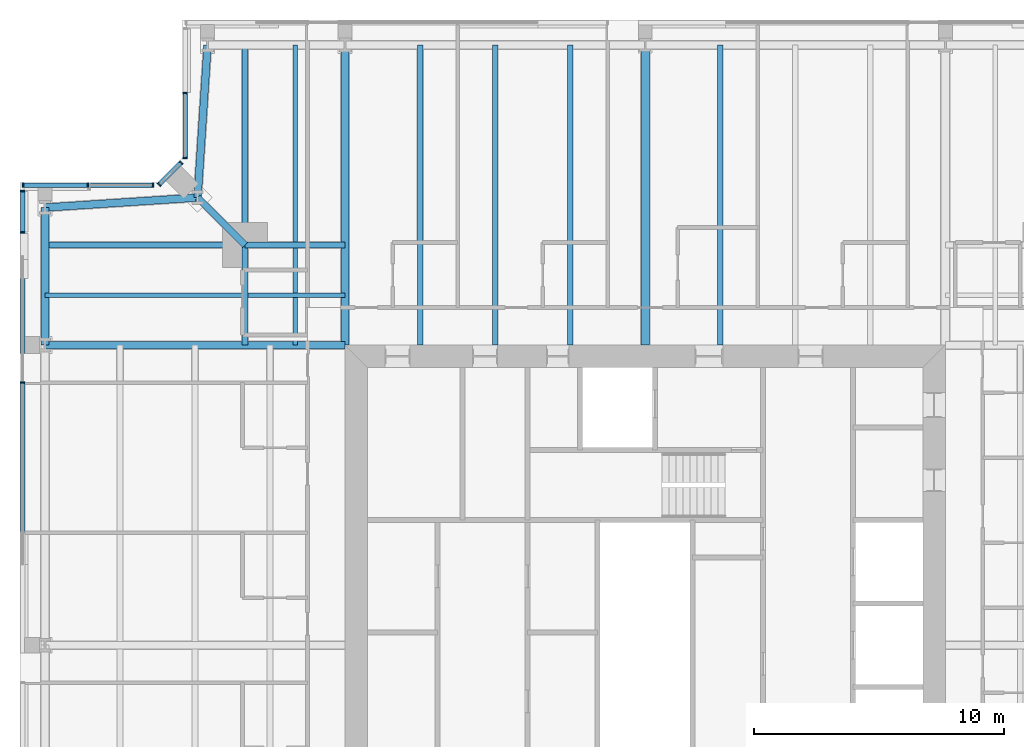
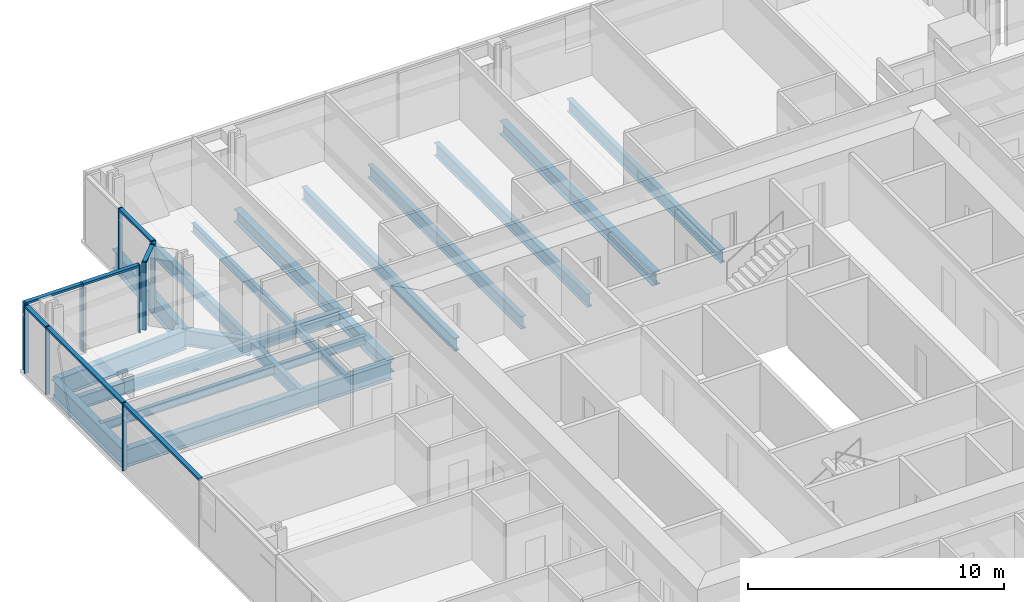
# One storey, part 7 of 20: 20 beams, 17 members, 4 elements without a shape of their own.
"""IFC4 building model written with IfcOpenShell, lengths in metres."""

from ifc_helpers import new_model, si_unit, direction, frame, origin, origin_2d, place, context, subcontext, project, spatial, rectangle, i_section, extrude, material, material_profile, profile_set, type_object, element, aggregate, save


model = new_model("IFC4")

# Units and contexts
model_context = context("Model", 3, precision=1e-05, world=origin(), true_north=direction((0.0, 1.0)))
body_context = subcontext(model_context, "Body", "Model", "MODEL_VIEW")
ifc_project = project(units=[si_unit("LENGTHUNIT", "METRE"), si_unit("AREAUNIT", "SQUARE_METRE"), si_unit("VOLUMEUNIT", "CUBIC_METRE"), si_unit("PLANEANGLEUNIT", "RADIAN"), si_unit("MASSUNIT", "GRAM", prefix="KILO")], contexts=[model_context])

# Site, building, storey
site_placement = place(None, origin())
site = spatial("IfcSite", under=ifc_project, at=site_placement, CompositionType="ELEMENT")
building_placement = place(site_placement, origin())
building = spatial("IfcBuilding", under=site, at=building_placement, Name="Fenwick Lantern Interchange", CompositionType="ELEMENT")
storey_placement = place(building_placement, frame((0.0, 0.0, 252.60009765625)))
storey = spatial("IfcBuildingStorey", under=building, at=storey_placement, Name="L59", CompositionType="ELEMENT", Elevation=252.60009765625)

# Beams
ifc_material_1 = material(Name="Steel ASTM A992 Grade 50", Category="steel")
ifc_material_profile_1 = material_profile(ifc_material_1, i_section(OverallWidth=0.3046875, OverallDepth=0.911865234375, WebThickness=0.015869140625, FlangeThickness=0.02392578125, at=origin_2d()), Name="W36X150")
ifc_profile_set_1 = profile_set([ifc_material_profile_1], Name="Steel ASTM A992 Grade 50")
beam_type_1 = type_object("IfcBeamType", Name="EDGE BEAM W36X150", PredefinedType="SPANDREL", material=ifc_profile_set_1)
for number, where, z_axis, x_axis, name in (
    (1, (7.5, 49.0, -0.60595703125), (-0.065416293237, -0.997858060337, 0.0), (0.997858060337, -0.065416293237, 0.0), "L59/FR/N/EBR1"),
    (2, (7.10009765625, 42.89990234375, -0.60595703125), (-0.997858060337, -0.065416293237, 0.0), (0.065416293237, -0.997858060337, 0.0), "L59/FR/N/EBR2"),
):
    element("IfcBeam", number, at=place(storey_placement, frame(where, z_axis=z_axis, x_axis=x_axis)), inside=storey, type_object=beam_type_1, Name=name, PredefinedType="SPANDREL", context=body_context, shape_type="SweptSolid", body=[
        extrude(i_section(OverallWidth=0.3046875, OverallDepth=0.911865234375, WebThickness=0.015869140625, FlangeThickness=0.02392578125, at=origin_2d()), origin(), (0.0, 0.0, 1.0), 6.11328125),
    ])
beam_1_placement = place(storey_placement, frame((1.0, 42.5, -0.60595703125), z_axis=(0.0, -1.0, 0.0), x_axis=(1.0, 0.0, 0.0)))
element("IfcBeam", 3, at=beam_1_placement, inside=storey, type_object=beam_type_1, Name="L59/FR/W/EB1", PredefinedType="SPANDREL", context=body_context, shape_type="SweptSolid", body=[
    extrude(i_section(OverallWidth=0.3046875, OverallDepth=0.911865234375, WebThickness=0.015869140625, FlangeThickness=0.02392578125, at=origin_2d()), origin(), (0.0, 0.0, 1.0), 5.5),
])
ifc_material_profile_2 = material_profile(ifc_material_1, i_section(OverallWidth=0.22900390625, OverallDepth=0.612060546875, WebThickness=0.011962890625, FlangeThickness=0.01953125, at=origin_2d()), Name="W24X84")
ifc_profile_set_2 = profile_set([ifc_material_profile_2], Name="Steel ASTM A992 Grade 50")
beam_type_2 = type_object("IfcBeamType", Name="FLOOR BEAM W24X84", PredefinedType="BEAM", material=ifc_profile_set_2)
for number, where, z_axis, x_axis, name in (
    (4, (28.0, 49.0, -0.4560546875), (0.0, -1.0, 0.0), (1.0, 0.0, 0.0), "L59/FR/N/R04"),
    (5, (22.0, 49.0, -0.4560546875), (0.0, -1.0, 0.0), (1.0, 0.0, 0.0), "L59/FR/N/R06"),
    (6, (19.0, 49.0, -0.4560546875), (0.0, -1.0, 0.0), (1.0, 0.0, 0.0), "L59/FR/N/R07"),
    (7, (16.0, 49.0, -0.4560546875), (0.0, -1.0, 0.0), (1.0, 0.0, 0.0), "L59/FR/N/R08"),
):
    element("IfcBeam", number, at=place(storey_placement, frame(where, z_axis=z_axis, x_axis=x_axis)), inside=storey, type_object=beam_type_2, Name=name, PredefinedType="BEAM", context=body_context, shape_type="SweptSolid", body=[
        extrude(i_section(OverallWidth=0.22900390625, OverallDepth=0.612060546875, WebThickness=0.011962890625, FlangeThickness=0.01953125, at=origin_2d()), origin(), (0.0, 0.0, 1.0), 12.0),
    ])

# Curtain wall, members
ifc_material_2 = material(Name="Aluminium curtain wall frame", Category="aluminium")
curtain_wall_type = type_object("IfcCurtainWallType", Name="HOTEL CURTAIN WALL", PredefinedType="USERDEFINED", material=ifc_material_2)
curtain_wall_1_placement = place(storey_placement, origin())
curtain_wall_1 = element("IfcCurtainWall", 8, at=curtain_wall_1_placement, inside=storey, type_object=curtain_wall_type, Name="Hotel curtain wall 10", ObjectType="HOTEL CURTAIN WALL", PredefinedType="USERDEFINED")
ifc_material_3 = material(Name="Aluminium extrusion", Category="aluminium")
ifc_material_profile_3 = material_profile(ifc_material_3, rectangle(XDim=0.179931640625, YDim=0.06005859375, at=origin_2d()), Name="HOTEL CURTAIN WALL MULLION 60 X 180")
ifc_profile_set_3 = profile_set([ifc_material_profile_3], Name="Aluminium extrusion")
member_type_1 = type_object("IfcMemberType", Name="HOTEL CURTAIN WALL MULLION 60 X 180", PredefinedType="MULLION", material=ifc_profile_set_3)
member_1_placement = place(storey_placement, frame((6.60009765625, 47.079345703125, 0.0), z_axis=(0.0, 0.0, 1.0), x_axis=(1.0, 0.0, 0.0)))
member_1 = element("IfcMember", 9, at=member_1_placement, type_object=member_type_1, Name="L59/CW/10/M01", PredefinedType="MULLION", context=body_context, shape_type="SweptSolid", body=[
    extrude(rectangle(XDim=0.179931640625, YDim=0.06005859375, at=origin_2d()), origin(), (0.0, 0.0, 1.0), 3.25),
])
member_2_placement = place(storey_placement, frame((6.60009765625, 44.488525390625, 0.0), z_axis=(0.0, 0.0, 1.0), x_axis=(1.0, 0.0, 0.0)))
member_2 = element("IfcMember", 10, at=member_2_placement, type_object=member_type_1, Name="L59/CW/10/M02", PredefinedType="MULLION", context=body_context, shape_type="SweptSolid", body=[
    extrude(rectangle(XDim=0.179931640625, YDim=0.06005859375, at=origin_2d()), origin(), (0.0, 0.0, 1.0), 3.25),
])

curtain_wall_2_placement = place(storey_placement, origin())
curtain_wall_2 = element("IfcCurtainWall", 11, at=curtain_wall_2_placement, inside=storey, type_object=curtain_wall_type, Name="Hotel curtain wall 11", ObjectType="HOTEL CURTAIN WALL", PredefinedType="USERDEFINED")
member_3_placement = place(storey_placement, frame((6.437255859375, 44.2958984375, 0.0), z_axis=(0.0, 0.0, 1.0), x_axis=(0.707106781187, -0.707106781187, 0.0)))
member_3 = element("IfcMember", 12, at=member_3_placement, type_object=member_type_1, Name="L59/CW/11/M00", PredefinedType="MULLION", context=body_context, shape_type="SweptSolid", body=[
    extrude(rectangle(XDim=0.179931640625, YDim=0.06005859375, at=origin_2d()), origin(), (0.0, 0.0, 1.0), 3.25),
])
member_4_placement = place(storey_placement, frame((5.562744140625, 43.421142578125, 0.0), z_axis=(0.0, 0.0, 1.0), x_axis=(0.707106781187, -0.707106781187, 0.0)))
member_4 = element("IfcMember", 13, at=member_4_placement, type_object=member_type_1, Name="L59/CW/11/M01", PredefinedType="MULLION", context=body_context, shape_type="SweptSolid", body=[
    extrude(rectangle(XDim=0.179931640625, YDim=0.06005859375, at=origin_2d()), origin(), (0.0, 0.0, 1.0), 3.25),
])

curtain_wall_3_placement = place(storey_placement, origin())
curtain_wall_3 = element("IfcCurtainWall", 14, at=curtain_wall_3_placement, inside=storey, type_object=curtain_wall_type, Name="Hotel curtain wall 12", ObjectType="HOTEL CURTAIN WALL", PredefinedType="USERDEFINED")
member_5_placement = place(storey_placement, frame((5.3115234375, 43.39990234375, 0.0), z_axis=(0.0, 0.0, 1.0), x_axis=(0.0, -1.0, 0.0)))
member_5 = element("IfcMember", 15, at=member_5_placement, type_object=member_type_1, Name="L59/CW/12/M00", PredefinedType="MULLION", context=body_context, shape_type="SweptSolid", body=[
    extrude(rectangle(XDim=0.179931640625, YDim=0.06005859375, at=origin_2d()), origin(), (0.0, 0.0, 1.0), 3.25),
])
member_6_placement = place(storey_placement, frame((2.720703125, 43.39990234375, 0.0), z_axis=(0.0, 0.0, 1.0), x_axis=(0.0, -1.0, 0.0)))
member_6 = element("IfcMember", 16, at=member_6_placement, type_object=member_type_1, Name="L59/CW/12/M01", PredefinedType="MULLION", context=body_context, shape_type="SweptSolid", body=[
    extrude(rectangle(XDim=0.179931640625, YDim=0.06005859375, at=origin_2d()), origin(), (0.0, 0.0, 1.0), 3.25),
])
member_7_placement = place(storey_placement, frame((0.1298828125, 43.39990234375, 0.0), z_axis=(0.0, 0.0, 1.0), x_axis=(0.0, -1.0, 0.0)))
member_7 = element("IfcMember", 17, at=member_7_placement, type_object=member_type_1, Name="L59/CW/12/M02", PredefinedType="MULLION", context=body_context, shape_type="SweptSolid", body=[
    extrude(rectangle(XDim=0.179931640625, YDim=0.06005859375, at=origin_2d()), origin(), (0.0, 0.0, 1.0), 3.25),
])

curtain_wall_4_placement = place(storey_placement, origin())
curtain_wall_4 = element("IfcCurtainWall", 18, at=curtain_wall_4_placement, inside=storey, type_object=curtain_wall_type, Name="Hotel curtain wall 13", ObjectType="HOTEL CURTAIN WALL", PredefinedType="USERDEFINED")
member_8_placement = place(storey_placement, frame((0.10009765625, 43.169921875, 0.0), z_axis=(0.0, 0.0, 1.0), x_axis=(1.0, 0.0, 0.0)))
member_8 = element("IfcMember", 19, at=member_8_placement, type_object=member_type_1, Name="L59/CW/13/M00", PredefinedType="MULLION", context=body_context, shape_type="SweptSolid", body=[
    extrude(rectangle(XDim=0.179931640625, YDim=0.06005859375, at=origin_2d()), origin(), (0.0, 0.0, 1.0), 3.25),
])
member_9_placement = place(storey_placement, frame((0.10009765625, 41.5, 0.0), z_axis=(0.0, 0.0, 1.0), x_axis=(1.0, 0.0, 0.0)))
member_9 = element("IfcMember", 20, at=member_9_placement, type_object=member_type_1, Name="L59/CW/13/M01", PredefinedType="MULLION", context=body_context, shape_type="SweptSolid", body=[
    extrude(rectangle(XDim=0.179931640625, YDim=0.06005859375, at=origin_2d()), origin(), (0.0, 0.0, 1.0), 3.25),
])
member_10_placement = place(storey_placement, frame((0.10009765625, 35.5, 0.0), z_axis=(0.0, 0.0, 1.0), x_axis=(1.0, 0.0, 0.0)))
member_10 = element("IfcMember", 21, at=member_10_placement, type_object=member_type_1, Name="L59/CW/13/M02", PredefinedType="MULLION", context=body_context, shape_type="SweptSolid", body=[
    extrude(rectangle(XDim=0.179931640625, YDim=0.06005859375, at=origin_2d()), origin(), (0.0, 0.0, 1.0), 3.25),
])

# Member
ifc_material_profile_4 = material_profile(ifc_material_3, rectangle(XDim=0.179931640625, YDim=0.10009765625, at=origin_2d()), Name="HOTEL CURTAIN WALL TRANSOM 100 X 180")
ifc_profile_set_4 = profile_set([ifc_material_profile_4], Name="Aluminium extrusion")
member_type_2 = type_object("IfcMemberType", Name="HOTEL CURTAIN WALL TRANSOM 100 X 180", PredefinedType="MULLION", material=ifc_profile_set_4)
member_11_placement = place(storey_placement, frame((6.60009765625, 47.04931640625, 3.199951171875), z_axis=(0.0, -1.0, 0.0), x_axis=(1.0, 0.0, 0.0)))
member_11 = element("IfcMember", 22, at=member_11_placement, type_object=member_type_2, Name="L59/CW/10/T01", PredefinedType="MULLION", context=body_context, shape_type="SweptSolid", body=[
    extrude(rectangle(XDim=0.179931640625, YDim=0.10009765625, at=origin_2d()), origin(), (0.0, 0.0, 1.0), 2.53076171875),
])

aggregate(curtain_wall_1, [member_1, member_2, member_11])

member_12_placement = place(storey_placement, frame((6.416259765625, 44.274658203125, 3.199951171875), z_axis=(-0.707210470133, -0.707003077033, 0.0), x_axis=(0.707003077033, -0.707210470133, 0.0)))
member_12 = element("IfcMember", 23, at=member_12_placement, type_object=member_type_2, Name="L59/CW/11/T00", PredefinedType="MULLION", context=body_context, shape_type="SweptSolid", body=[
    extrude(rectangle(XDim=0.179931640625, YDim=0.10009765625, at=origin_2d()), origin(), (0.0, 0.0, 1.0), 1.17724609375),
])

aggregate(curtain_wall_2, [member_3, member_4, member_12])

member_13_placement = place(storey_placement, frame((5.281494140625, 43.39990234375, 3.199951171875), z_axis=(-1.0, 0.0, 0.0), x_axis=(0.0, -1.0, 0.0)))
member_13 = element("IfcMember", 24, at=member_13_placement, type_object=member_type_2, Name="L59/CW/12/T00", PredefinedType="MULLION", context=body_context, shape_type="SweptSolid", body=[
    extrude(rectangle(XDim=0.179931640625, YDim=0.10009765625, at=origin_2d()), origin(), (0.0, 0.0, 1.0), 2.53076171875),
])

member_14_placement = place(storey_placement, frame((2.690673828125, 43.39990234375, 3.199951171875), z_axis=(-1.0, 0.0, 0.0), x_axis=(0.0, -1.0, 0.0)))
member_14 = element("IfcMember", 25, at=member_14_placement, type_object=member_type_2, Name="L59/CW/12/T01", PredefinedType="MULLION", context=body_context, shape_type="SweptSolid", body=[
    extrude(rectangle(XDim=0.179931640625, YDim=0.10009765625, at=origin_2d()), origin(), (0.0, 0.0, 1.0), 2.53076171875),
])

aggregate(curtain_wall_3, [member_5, member_6, member_7, member_13, member_14])

member_15_placement = place(storey_placement, frame((0.10009765625, 43.139892578125, 3.199951171875), z_axis=(0.0, -1.0, 0.0), x_axis=(1.0, 0.0, 0.0)))
member_15 = element("IfcMember", 26, at=member_15_placement, type_object=member_type_2, Name="L59/CW/13/T00", PredefinedType="MULLION", context=body_context, shape_type="SweptSolid", body=[
    extrude(rectangle(XDim=0.179931640625, YDim=0.10009765625, at=origin_2d()), origin(), (0.0, 0.0, 1.0), 1.60986328125),
])

member_16_placement = place(storey_placement, frame((0.10009765625, 41.469970703125, 3.199951171875), z_axis=(0.0, -1.0, 0.0), x_axis=(1.0, 0.0, 0.0)))
member_16 = element("IfcMember", 27, at=member_16_placement, type_object=member_type_2, Name="L59/CW/13/T01", PredefinedType="MULLION", context=body_context, shape_type="SweptSolid", body=[
    extrude(rectangle(XDim=0.179931640625, YDim=0.10009765625, at=origin_2d()), origin(), (0.0, 0.0, 1.0), 5.93994140625),
])

member_17_placement = place(storey_placement, frame((0.10009765625, 35.469970703125, 3.199951171875), z_axis=(0.0, -1.0, 0.0), x_axis=(1.0, 0.0, 0.0)))
member_17 = element("IfcMember", 28, at=member_17_placement, type_object=member_type_2, Name="L59/CW/13/T02", PredefinedType="MULLION", context=body_context, shape_type="SweptSolid", body=[
    extrude(rectangle(XDim=0.179931640625, YDim=0.10009765625, at=origin_2d()), origin(), (0.0, 0.0, 1.0), 5.93994140625),
])

aggregate(curtain_wall_4, [member_8, member_9, member_10, member_15, member_16, member_17])

# Beams
ifc_material_profile_5 = material_profile(ifc_material_1, i_section(OverallWidth=0.177734375, OverallDepth=0.406494140625, WebThickness=0.0078125, FlangeThickness=0.012939453125, at=origin_2d()), Name="W16X40")
ifc_profile_set_5 = profile_set([ifc_material_profile_5], Name="Steel ASTM A992 Grade 50")
beam_type_3 = type_object("IfcBeamType", Name="INFILL BEAM W16X40", PredefinedType="JOIST", material=ifc_profile_set_5)
beam_2_placement = place(storey_placement, frame((1.0, 39.0, -0.353271484375), z_axis=(1.0, 0.0, 0.0), x_axis=(0.0, 1.0, 0.0)))
element("IfcBeam", 29, at=beam_2_placement, inside=storey, type_object=beam_type_3, Name="L59/FR/W/J1", PredefinedType="JOIST", context=body_context, shape_type="SweptSolid", body=[
    extrude(i_section(OverallWidth=0.177734375, OverallDepth=0.406494140625, WebThickness=0.0078125, FlangeThickness=0.012939453125, at=origin_2d()), origin(), (0.0, 0.0, 1.0), 7.885498046875),
])
beam_3_placement = place(storey_placement, frame((9.114501953125, 39.0, -0.353271484375), z_axis=(1.0, 0.0, 0.0), x_axis=(0.0, 1.0, 0.0)))
element("IfcBeam", 30, at=beam_3_placement, inside=storey, type_object=beam_type_3, Name="L59/FR/W/J2", PredefinedType="JOIST", context=body_context, shape_type="SweptSolid", body=[
    extrude(i_section(OverallWidth=0.177734375, OverallDepth=0.406494140625, WebThickness=0.0078125, FlangeThickness=0.012939453125, at=origin_2d()), origin(), (0.0, 0.0, 1.0), 3.885498046875),
])
beam_4_placement = place(storey_placement, frame((11.0, 49.0, -0.353271484375), z_axis=(0.0, -1.0, 0.0), x_axis=(1.0, 0.0, 0.0)))
element("IfcBeam", 31, at=beam_4_placement, inside=storey, type_object=beam_type_3, Name="L59/FR/W/J3", PredefinedType="JOIST", context=body_context, shape_type="SweptSolid", body=[
    extrude(i_section(OverallWidth=0.177734375, OverallDepth=0.406494140625, WebThickness=0.0078125, FlangeThickness=0.012939453125, at=origin_2d()), origin(), (0.0, 0.0, 1.0), 7.885498046875),
])
beam_5_placement = place(storey_placement, frame((11.0, 40.885498046875, -0.353271484375), z_axis=(0.0, -1.0, 0.0), x_axis=(1.0, 0.0, 0.0)))
element("IfcBeam", 32, at=beam_5_placement, inside=storey, type_object=beam_type_3, Name="L59/FR/W/J4", PredefinedType="JOIST", context=body_context, shape_type="SweptSolid", body=[
    extrude(i_section(OverallWidth=0.177734375, OverallDepth=0.406494140625, WebThickness=0.0078125, FlangeThickness=0.012939453125, at=origin_2d()), origin(), (0.0, 0.0, 1.0), 1.796630859375),
])
beam_6_placement = place(storey_placement, frame((11.0, 38.9111328125, -0.353271484375), z_axis=(0.0, -1.0, 0.0), x_axis=(1.0, 0.0, 0.0)))
element("IfcBeam", 33, at=beam_6_placement, inside=storey, type_object=beam_type_3, Name="L59/FR/W/J5", PredefinedType="JOIST", context=body_context, shape_type="SweptSolid", body=[
    extrude(i_section(OverallWidth=0.177734375, OverallDepth=0.406494140625, WebThickness=0.0078125, FlangeThickness=0.012939453125, at=origin_2d()), origin(), (0.0, 0.0, 1.0), 1.9111328125),
])
ifc_material_profile_6 = material_profile(ifc_material_1, i_section(OverallWidth=0.22900390625, OverallDepth=0.612060546875, WebThickness=0.011962890625, FlangeThickness=0.01953125, at=origin_2d()), Name="W24X84")
ifc_profile_set_6 = profile_set([ifc_material_profile_6], Name="Steel ASTM A992 Grade 50")
beam_type_4 = type_object("IfcBeamType", Name="MEGA COLUMN BEAM W24X84", PredefinedType="BEAM", material=ifc_profile_set_6)
for number, where, z_axis, x_axis, name in (
    (34, (9.0, 41.0, -0.4560546875), (-1.0, 0.0, 0.0), (0.0, -1.0, 0.0), "L59/FR/W/MB1"),
    (35, (9.0, 41.0, -0.4560546875), (0.0, 1.0, 0.0), (-1.0, 0.0, 0.0), "L59/FR/W/MB2"),
):
    element("IfcBeam", number, at=place(storey_placement, frame(where, z_axis=z_axis, x_axis=x_axis)), inside=storey, type_object=beam_type_4, Name=name, PredefinedType="BEAM", context=body_context, shape_type="SweptSolid", body=[
        extrude(i_section(OverallWidth=0.22900390625, OverallDepth=0.612060546875, WebThickness=0.011962890625, FlangeThickness=0.01953125, at=origin_2d()), origin(), (0.0, 0.0, 1.0), 8.0),
    ])
for number, where, z_axis, x_axis, name in (
    (36, (9.0, 41.0, -0.4560546875), (0.0, -1.0, 0.0), (1.0, 0.0, 0.0), "L59/FR/W/MB3"),
    (37, (9.0, 41.0, -0.4560546875), (1.0, 0.0, 0.0), (0.0, 1.0, 0.0), "L59/FR/W/MB4"),
):
    element("IfcBeam", number, at=place(storey_placement, frame(where, z_axis=z_axis, x_axis=x_axis)), inside=storey, type_object=beam_type_4, Name=name, PredefinedType="BEAM", context=body_context, shape_type="SweptSolid", body=[
        extrude(i_section(OverallWidth=0.22900390625, OverallDepth=0.612060546875, WebThickness=0.011962890625, FlangeThickness=0.01953125, at=origin_2d()), origin(), (0.0, 0.0, 1.0), 4.0),
    ])
ifc_material_profile_7 = material_profile(ifc_material_1, i_section(OverallWidth=0.32763671875, OverallDepth=0.622314453125, WebThickness=0.015380859375, FlangeThickness=0.0244140625, at=origin_2d()), Name="W24X131")
ifc_profile_set_7 = profile_set([ifc_material_profile_7], Name="Steel ASTM A992 Grade 50")
beam_type_5 = type_object("IfcBeamType", Name="MOMENT-CONNECTED GIRDER W24X131", PredefinedType="BEAM", material=ifc_profile_set_7)
for number, where, z_axis, x_axis, name in (
    (38, (25.0, 49.0, -0.461181640625), (0.0, -1.0, 0.0), (1.0, 0.0, 0.0), "L59/FR/N/R05"),
    (39, (13.0, 49.0, -0.461181640625), (0.0, -1.0, 0.0), (1.0, 0.0, 0.0), "L59/FR/N/R09"),
):
    element("IfcBeam", number, at=place(storey_placement, frame(where, z_axis=z_axis, x_axis=x_axis)), inside=storey, type_object=beam_type_5, Name=name, PredefinedType="BEAM", context=body_context, shape_type="SweptSolid", body=[
        extrude(i_section(OverallWidth=0.32763671875, OverallDepth=0.622314453125, WebThickness=0.015380859375, FlangeThickness=0.0244140625, at=origin_2d()), origin(), (0.0, 0.0, 1.0), 12.0),
    ])
ifc_material_profile_8 = material_profile(ifc_material_1, i_section(OverallWidth=0.2919921875, OverallDepth=0.845703125, WebThickness=0.015380859375, FlangeThickness=0.0244140625, at=origin_2d()), Name="W33X141")
ifc_profile_set_8 = profile_set([ifc_material_profile_8], Name="Steel ASTM A992 Grade 50")
beam_type_6 = type_object("IfcBeamType", Name="MOMENT-CONNECTED GIRDER W33X141", PredefinedType="BEAM", material=ifc_profile_set_8)
beam_7_placement = place(storey_placement, frame((1.0, 37.0, -0.572998046875), z_axis=(1.0, 0.0, 0.0), x_axis=(0.0, 1.0, 0.0)))
element("IfcBeam", 40, at=beam_7_placement, inside=storey, type_object=beam_type_6, Name="L59/FR/W/R01", PredefinedType="BEAM", context=body_context, shape_type="SweptSolid", body=[
    extrude(i_section(OverallWidth=0.2919921875, OverallDepth=0.845703125, WebThickness=0.015380859375, FlangeThickness=0.0244140625, at=origin_2d()), origin(), (0.0, 0.0, 1.0), 12.0),
])
ifc_material_profile_9 = material_profile(ifc_material_1, i_section(OverallWidth=0.2666015625, OverallDepth=0.7568359375, WebThickness=0.013916015625, FlangeThickness=0.019287109375, at=origin_2d()), Name="W30X108")
ifc_profile_set_9 = profile_set([ifc_material_profile_9], Name="Steel ASTM A992 Grade 50")
beam_type_7 = type_object("IfcBeamType", Name="NOTCH BEAM W30X108", PredefinedType="BEAM", material=ifc_profile_set_9)
beam_8_placement = place(storey_placement, frame((9.0, 41.0, -0.528564453125), z_axis=(-0.707106781187, 0.707106781187, 0.0), x_axis=(-0.707106781187, -0.707106781187, 0.0)))
element("IfcBeam", 41, at=beam_8_placement, inside=storey, type_object=beam_type_7, Name="L59/FR/W/TG", PredefinedType="BEAM", context=body_context, shape_type="SweptSolid", body=[
    extrude(i_section(OverallWidth=0.2666015625, OverallDepth=0.7568359375, WebThickness=0.013916015625, FlangeThickness=0.019287109375, at=origin_2d()), origin(), (0.0, 0.0, 1.0), 2.686767578125),
])

save(model, "model.ifc")
